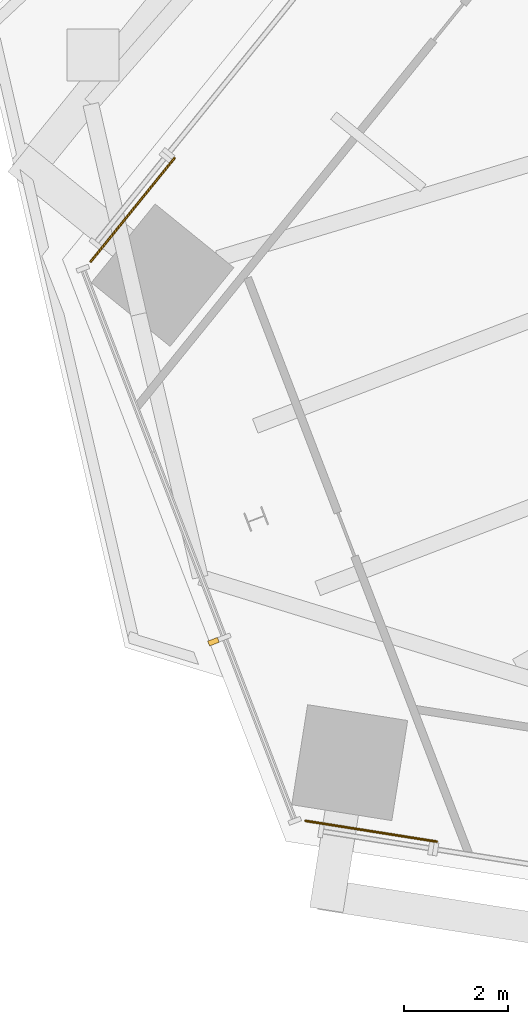
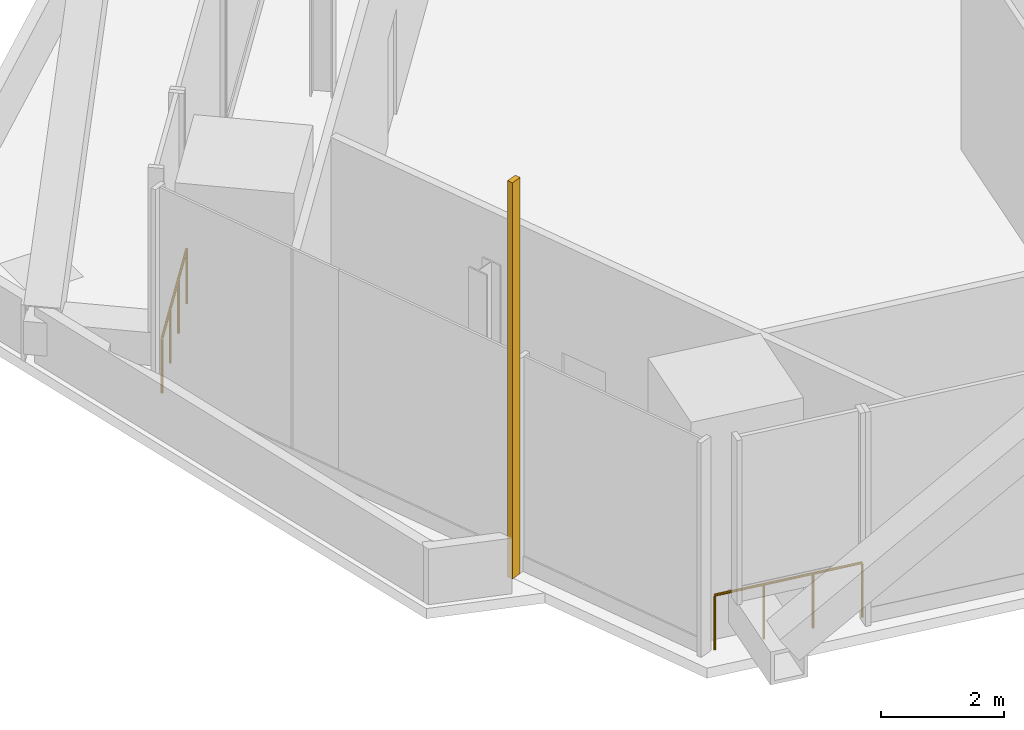
# One storey, part 18 of 22: 2 railings, 1 shading device.
"""IFC4 building model written with IfcOpenShell, lengths in metres."""

from ifc_helpers import new_model, si_unit, direction, frame, origin, origin_2d, place, context, subcontext, project, spatial, rectangle, circle, extrude, source, transform, mapped, material, type_object, element, save


model = new_model("IFC4")

# Units and contexts
model_context = context("Model", 3, precision=1e-05, world=origin(), true_north=direction((0.0, 1.0)))
body_context = subcontext(model_context, "Body", "Model", "MODEL_VIEW")
ifc_project = project(units=[si_unit("LENGTHUNIT", "METRE"), si_unit("AREAUNIT", "SQUARE_METRE"), si_unit("VOLUMEUNIT", "CUBIC_METRE"), si_unit("PLANEANGLEUNIT", "RADIAN"), si_unit("MASSUNIT", "GRAM", prefix="KILO")], contexts=[model_context])

# Site, building, storey
site_placement = place(None, origin())
site = spatial("IfcSite", under=ifc_project, at=site_placement, CompositionType="ELEMENT")
building_placement = place(site_placement, origin())
building = spatial("IfcBuilding", under=site, at=building_placement, Name="Triune Harvest Tower", CompositionType="ELEMENT")
storey_placement = place(building_placement, frame((0.0, 0.0, 138.10009765625)))
storey = spatial("IfcBuildingStorey", under=building, at=storey_placement, Name="L35", CompositionType="ELEMENT", Elevation=138.10009765625)

# Railings
ifc_material_1 = material(Name="Glass", Category="glass")
railing_type = type_object("IfcRailingType", Name="GD-3 facade guard 1100", PredefinedType="GUARDRAIL", material=ifc_material_1)
railing_1_placement = place(storey_placement, frame((-30.719482421875, -4.24560546875, 0.0)))
element("IfcRailing", 1, at=railing_1_placement, inside=storey, type_object=railing_type, Name="Facade guard B4-F3 L35.1.2", PredefinedType="GUARDRAIL", context=body_context, shape_type="SweptSolid", body=[
    extrude(circle(Radius=0.02392578125, at=origin_2d()), frame((0.0, 0.0, 1.076171875), z_axis=(-0.629324417865, -0.777142700589, 0.0), x_axis=(0.777142700589, -0.629324417865, 0.0)), (0.0, 0.0, 1.0), 2.56005859375),
    extrude(circle(Radius=0.02099609375, at=origin_2d()), origin(), (0.0, 0.0, 1.0), 1.052001953125),
    extrude(circle(Radius=0.02099609375, at=origin_2d()), frame((-0.537109375, -0.6630859375, 0.0)), (0.0, 0.0, 1.0), 1.052001953125),
    extrude(circle(Radius=0.02099609375, at=origin_2d()), frame((-1.073974609375, -1.326416015625, 0.0)), (0.0, 0.0, 1.0), 1.052001953125),
    extrude(circle(Radius=0.02099609375, at=origin_2d()), frame((-1.611083984375, -1.989501953125, 0.0)), (0.0, 0.0, 1.0), 1.052001953125),
])
railing_2_placement = place(storey_placement, frame((-28.198486328125, -16.999755859375, 0.0)))
element("IfcRailing", 2, at=railing_2_placement, inside=storey, type_object=railing_type, Name="Facade guard B4-F5 L35.1.1", PredefinedType="GUARDRAIL", context=body_context, shape_type="SweptSolid", body=[
    extrude(circle(Radius=0.02392578125, at=origin_2d()), frame((0.0, 0.0, 1.076171875), z_axis=(0.987694051814, -0.156398401562, 0.0), x_axis=(0.156398401562, 0.987694051814, 0.0)), (0.0, 0.0, 1.0), 2.56005859375),
    extrude(circle(Radius=0.02099609375, at=origin_2d()), origin(), (0.0, 0.0, 1.0), 1.052001953125),
    extrude(circle(Radius=0.02099609375, at=origin_2d()), frame((0.8427734375, -0.133544921875, 0.0)), (0.0, 0.0, 1.0), 1.052001953125),
    extrude(circle(Radius=0.02099609375, at=origin_2d()), frame((1.685791015625, -0.266845703125, 0.0)), (0.0, 0.0, 1.0), 1.052001953125),
    extrude(circle(Radius=0.02099609375, at=origin_2d()), frame((2.528564453125, -0.400390625, 0.0)), (0.0, 0.0, 1.0), 1.052001953125),
])

# Shading device
ifc_material_2 = material(Name="Aluminium bronze anodised", Category="aluminium")
shared_shape = source(origin(), body_context, "Body", "SweptSolid", [
    extrude(rectangle(XDim=0.10009765625, YDim=0.199951171875, at=origin_2d()), origin(), (0.0, 0.0, 1.0), 7.840087890625),
])
shading_device_placement = place(storey_placement, frame((-29.968017578125, -13.552001953125, 0.0), z_axis=(0.0, 0.0, 1.0), x_axis=(0.358368910177, -0.933580057745, 0.0)))
element("IfcShadingDevice", 3, at=shading_device_placement, inside=storey, material=ifc_material_2, Name="FN-1 fin B4-F4.3 L35", ObjectType="FIN", PredefinedType="USERDEFINED", context=body_context, shape_type="MappedRepresentation", body=[
    mapped(shared_shape, transform((0.0, 0.0, 0.0), scale=1.0)),
])

save(model, "model.ifc")
